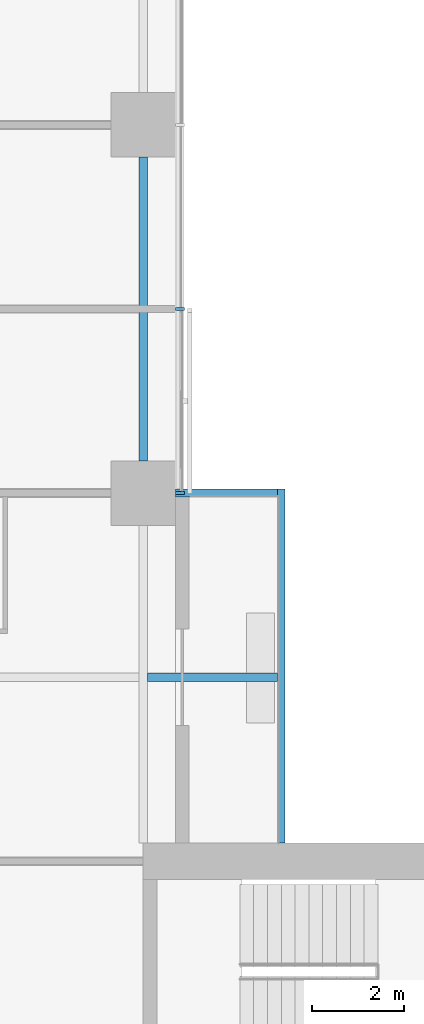
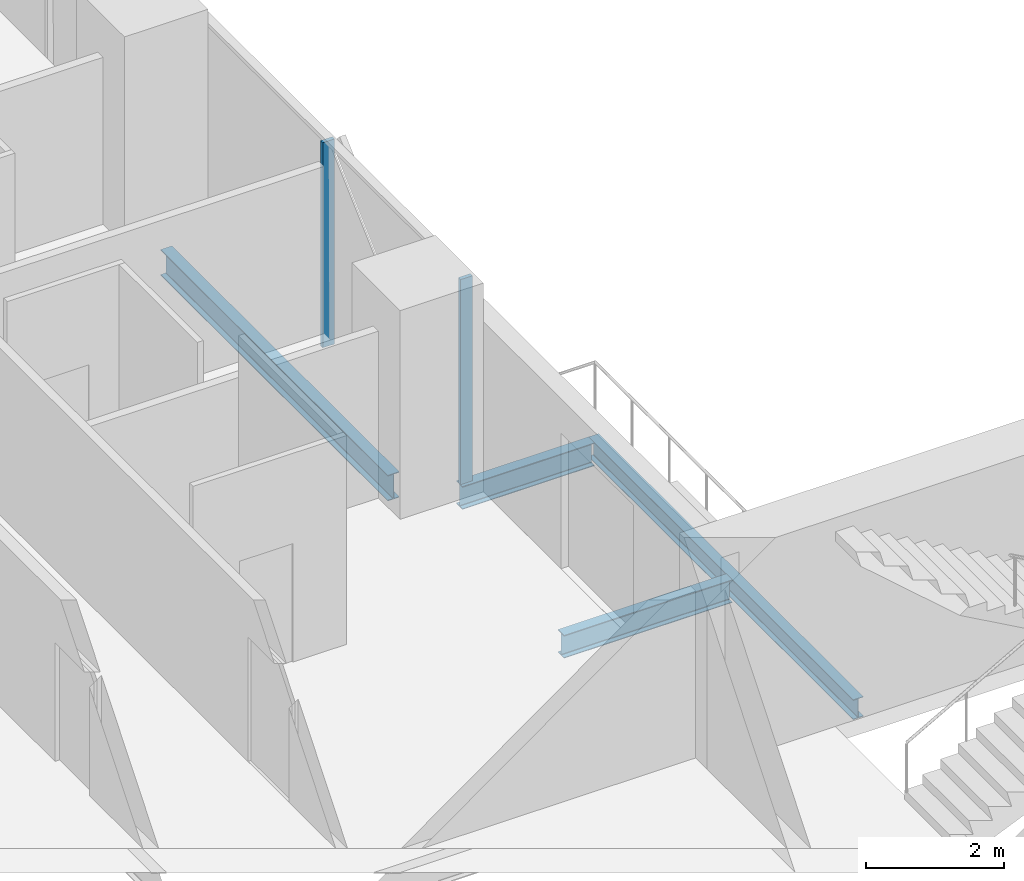
# One storey, part 10 of 27: 4 beams, 2 members, 1 element without a shape of its own.
"""IFC4 building model written with IfcOpenShell, lengths in metres."""

from ifc_helpers import new_model, si_unit, direction, frame, origin, origin_2d, place, context, subcontext, project, spatial, rectangle, i_section, extrude, material, material_profile, profile_set, type_object, element, aggregate, save


model = new_model("IFC4")

# Units and contexts
model_context = context("Model", 3, precision=1e-05, world=origin(), true_north=direction((0.0, 1.0)))
body_context = subcontext(model_context, "Body", "Model", "MODEL_VIEW")
ifc_project = project(units=[si_unit("LENGTHUNIT", "METRE"), si_unit("AREAUNIT", "SQUARE_METRE"), si_unit("VOLUMEUNIT", "CUBIC_METRE"), si_unit("PLANEANGLEUNIT", "RADIAN"), si_unit("MASSUNIT", "GRAM", prefix="KILO")], contexts=[model_context])

# Site, building, storey
site_placement = place(None, origin())
site = spatial("IfcSite", under=ifc_project, at=site_placement, CompositionType="ELEMENT")
building_placement = place(site_placement, origin())
building = spatial("IfcBuilding", under=site, at=building_placement, Name="Crosswind Convention Tower", CompositionType="ELEMENT")
storey_placement = place(building_placement, frame((0.0, 0.0, 68.300048828125)))
storey = spatial("IfcBuildingStorey", under=building, at=storey_placement, Name="L11", CompositionType="ELEMENT", Elevation=68.300048828125)

# Beams
ifc_material_1 = material(Name="Steel S355", Category="steel")
ifc_material_profile_1 = material_profile(ifc_material_1, i_section(OverallWidth=0.177734375, OverallDepth=0.406494140625, WebThickness=0.0078125, FlangeThickness=0.0126953125, FilletRadius=0.01025390625, at=origin_2d()), Name="UB 406x178x60")
ifc_profile_set_1 = profile_set([ifc_material_profile_1], Name="Steel S355")
beam_type_1 = type_object("IfcBeamType", Name="Balcony cantilever UB 406x178x60", PredefinedType="BEAM", material=ifc_profile_set_1)
beam_1_placement = place(storey_placement, frame((137.09521484375, 116.0, -0.483154296875), z_axis=(1.0, 0.0, 0.0), x_axis=(0.0, 1.0, 0.0)))
element("IfcBeam", 1, at=beam_1_placement, inside=storey, type_object=beam_type_1, Name="B35 L11 balcony cantilever NE 1", PredefinedType="BEAM", context=body_context, shape_type="SweptSolid", body=[
    extrude(i_section(OverallWidth=0.177734375, OverallDepth=0.406494140625, WebThickness=0.0078125, FlangeThickness=0.0126953125, FilletRadius=0.01025390625, at=origin_2d()), origin(), (0.0, 0.0, 1.0), 2.8193359375),
])
beam_2_placement = place(storey_placement, frame((137.699951171875, 120.0, -0.483154296875), z_axis=(1.0, 0.0, 0.0), x_axis=(0.0, 1.0, 0.0)))
element("IfcBeam", 2, at=beam_2_placement, inside=storey, type_object=beam_type_1, Name="B35 L11 balcony cantilever NE 2", PredefinedType="BEAM", context=body_context, shape_type="SweptSolid", body=[
    extrude(i_section(OverallWidth=0.177734375, OverallDepth=0.406494140625, WebThickness=0.0078125, FlangeThickness=0.0126953125, FilletRadius=0.01025390625, at=origin_2d()), origin(), (0.0, 0.0, 1.0), 2.214599609375),
])
ifc_material_profile_2 = material_profile(ifc_material_1, i_section(OverallWidth=0.1708984375, OverallDepth=0.35205078125, WebThickness=0.0068359375, FlangeThickness=0.009765625, FilletRadius=0.01025390625, at=origin_2d()), Name="UB 356x171x45")
ifc_profile_set_2 = profile_set([ifc_material_profile_2], Name="Steel S355")
beam_type_2 = type_object("IfcBeamType", Name="Balcony edge beam UB 356x171x45", PredefinedType="BEAM", material=ifc_profile_set_2)
beam_3_placement = place(storey_placement, frame((140.0, 112.39990234375, -0.4560546875), z_axis=(0.0, 1.0, 0.0), x_axis=(-1.0, 0.0, 0.0)))
element("IfcBeam", 3, at=beam_3_placement, inside=storey, type_object=beam_type_2, Name="B37 L11 balcony edge beam NE 3", PredefinedType="BEAM", context=body_context, shape_type="SweptSolid", body=[
    extrude(i_section(OverallWidth=0.1708984375, OverallDepth=0.35205078125, WebThickness=0.0068359375, FlangeThickness=0.009765625, FilletRadius=0.01025390625, at=origin_2d()), origin(), (0.0, 0.0, 1.0), 7.68896484375),
])
ifc_material_profile_3 = material_profile(ifc_material_1, i_section(OverallWidth=0.1904296875, OverallDepth=0.457275390625, WebThickness=0.009033203125, FlangeThickness=0.014404296875, FilletRadius=0.01025390625, at=origin_2d()), Name="UB 457x191x75")
ifc_profile_set_3 = profile_set([ifc_material_profile_3], Name="Steel S355")
beam_type_3 = type_object("IfcBeamType", Name="Edge beam UB 457x191x75", PredefinedType="SPANDREL", material=ifc_profile_set_3)
beam_4_placement = place(storey_placement, frame((137.0, 120.699951171875, -0.508544921875), z_axis=(0.0, 1.0, 0.0), x_axis=(-1.0, 0.0, 0.0)))
element("IfcBeam", 4, at=beam_4_placement, inside=storey, type_object=beam_type_3, Name="B17 L11 edge beam 22", PredefinedType="SPANDREL", context=body_context, shape_type="SweptSolid", body=[
    extrude(i_section(OverallWidth=0.1904296875, OverallDepth=0.457275390625, WebThickness=0.009033203125, FlangeThickness=0.014404296875, FilletRadius=0.01025390625, at=origin_2d()), origin(), (0.0, 0.0, 1.0), 6.60009765625),
])

# Curtain wall, members
ifc_material_2 = material(Name="Aluminium unitised curtain wall", Category="aluminium")
curtain_wall_type = type_object("IfcCurtainWallType", Name="HOTEL UNITISED WALL 200", PredefinedType="USERDEFINED", material=ifc_material_2)
curtain_wall_placement = place(storey_placement, origin())
curtain_wall = element("IfcCurtainWall", 5, at=curtain_wall_placement, inside=storey, type_object=curtain_wall_type, Name="CW2 L11 N-E 1", ObjectType="UNITISED", PredefinedType="USERDEFINED")
ifc_material_3 = material(Name="Aluminium mullion", Category="aluminium")
ifc_material_profile_4 = material_profile(ifc_material_3, rectangle(XDim=0.199951171875, YDim=0.06494140625, at=origin_2d()), Name="AL 200X65")
ifc_profile_set_4 = profile_set([ifc_material_profile_4], Name="Aluminium mullion")
member_type = type_object("IfcMemberType", Name="MULLION 65X200", PredefinedType="MULLION", material=ifc_profile_set_4)
member_1_placement = place(storey_placement, frame((137.800048828125, 120.0, -0.280029296875), z_axis=(0.0, 0.0, 1.0), x_axis=(1.0, 0.0, 0.0)))
member_1 = element("IfcMember", 6, at=member_1_placement, type_object=member_type, Name="CW2 mullion 1", PredefinedType="MULLION", context=body_context, shape_type="SweptSolid", body=[
    extrude(rectangle(XDim=0.199951171875, YDim=0.06494140625, at=origin_2d()), origin(), (0.0, 0.0, 1.0), 3.635009765625),
])
member_2_placement = place(storey_placement, frame((137.800048828125, 124.0, -0.280029296875), z_axis=(0.0, 0.0, 1.0), x_axis=(1.0, 0.0, 0.0)))
member_2 = element("IfcMember", 7, at=member_2_placement, type_object=member_type, Name="CW2 mullion 2", PredefinedType="MULLION", context=body_context, shape_type="SweptSolid", body=[
    extrude(rectangle(XDim=0.199951171875, YDim=0.06494140625, at=origin_2d()), origin(), (0.0, 0.0, 1.0), 3.635009765625),
])
aggregate(curtain_wall, [member_1, member_2])

save(model, "model.ifc")
